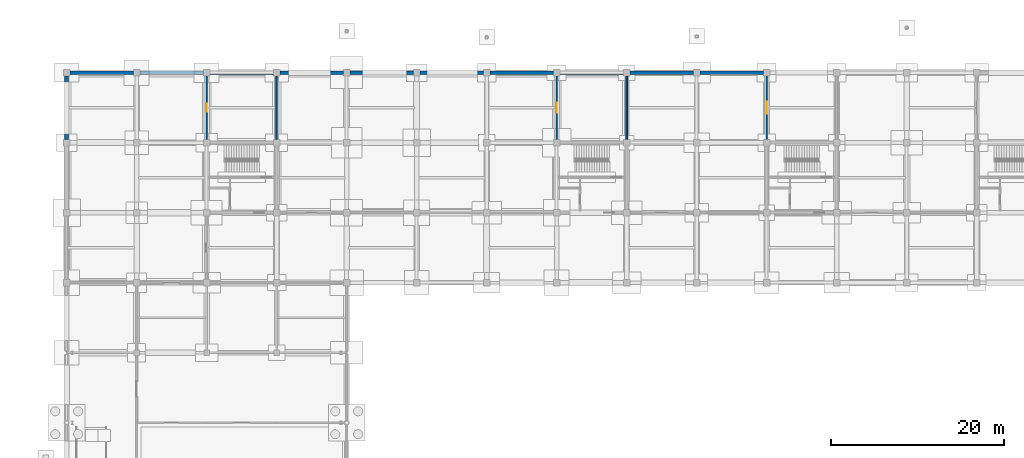
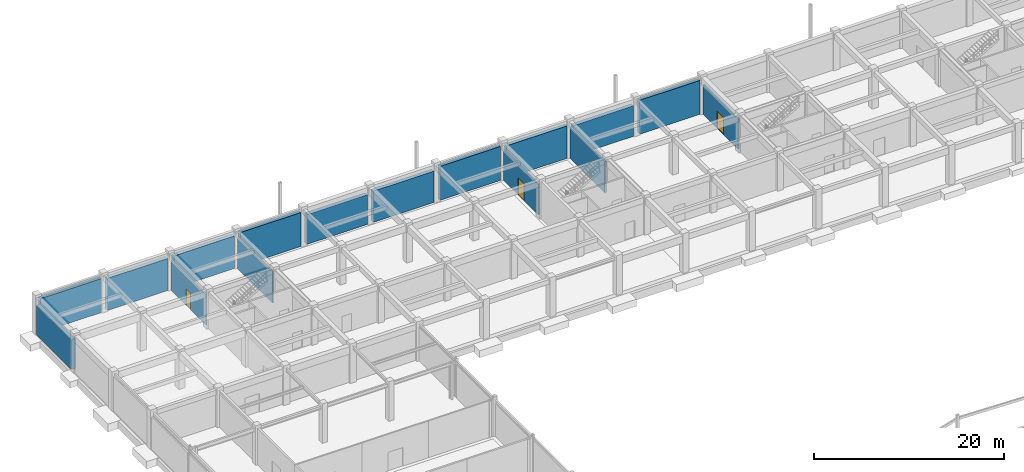
# One storey, part 54 of 67: 16 walls, 3 doors, 3 openings.
"""IFC4 building model written with IfcOpenShell, lengths in metres."""

from ifc_helpers import new_model, si_unit, direction, frame, frame_2d, origin, place, context, subcontext, project, spatial, rectangle, extrude, material, layer, layer_set, type_object, element, fill, save


model = new_model("IFC4")

# Units and contexts
model_context = context("Model", 3, precision=1e-05, world=origin(), true_north=direction((0.0, 1.0)))
body_context = subcontext(model_context, "Body", "Model", "MODEL_VIEW")
ifc_project = project(units=[si_unit("LENGTHUNIT", "METRE"), si_unit("AREAUNIT", "SQUARE_METRE"), si_unit("VOLUMEUNIT", "CUBIC_METRE"), si_unit("PLANEANGLEUNIT", "RADIAN"), si_unit("MASSUNIT", "GRAM", prefix="KILO")], contexts=[model_context])

# Site, building, storey
site_placement = place(None, origin())
site = spatial("IfcSite", under=ifc_project, at=site_placement, CompositionType="ELEMENT")
building_placement = place(site_placement, origin())
building = spatial("IfcBuilding", under=site, at=building_placement, Name="Vaudrelin Polytechnic", CompositionType="ELEMENT")
storey_placement = place(building_placement, frame((0.0, 0.0, -5.10009765625)))
storey = spatial("IfcBuildingStorey", under=building, at=storey_placement, Name="B1", CompositionType="ELEMENT", Elevation=-5.10009765625)

# Wall, opening, door
ifc_material_1 = material(Name="Concrete masonry unit 20 MPa shaft & corridor fire wall", Category="masonry")
ifc_layer_1 = layer(ifc_material_1, 0.199951171875)
ifc_layer_set_1 = layer_set([ifc_layer_1], Name="Concrete masonry unit 20 MPa shaft & corridor fire wall")
wall_type_1 = type_object("IfcWallType", Name="WAL-PW-FIRE120", PredefinedType="PARTITIONING", material=ifc_layer_set_1)
wall_1_placement = place(storey_placement, frame((81.0, 113.77294921875, 0.0), z_axis=(0.0, 0.0, 1.0), x_axis=(0.0, 1.0, 0.0)))
wall_1 = element("IfcWall", 1, at=wall_1_placement, inside=storey, type_object=wall_type_1, Name="Partition B1-013 E", PredefinedType="PARTITIONING", context=body_context, shape_type="SweptSolid", body=[
    extrude(rectangle(XDim=7.35400390625, YDim=0.199951171875, at=frame_2d((3.677001953125, 0.0))), origin(), (0.0, 0.0, 1.0), 3.83203125),
])
opening_1_placement = place(wall_1_placement, frame((2.97705078125, 0.0, 0.0)))
opening_1 = element("IfcOpeningElement", 2, at=opening_1_placement, cuts=wall_1, Name="Opening D-B1-418", PredefinedType="OPENING", context=body_context, shape_type="SweptSolid", body=[
    extrude(rectangle(XDim=1.39990234375, YDim=2.199951171875, at=frame_2d((0.699951171875, 1.10009765625))), frame((0.0, 0.10986328125, 0.0), z_axis=(0.0, -1.0, 0.0), x_axis=(1.0, 0.0, 0.0)), (0.0, 0.0, 1.0), 0.219970703125),
])
ifc_material_2 = material(Name="Pressed galvanised steel acoustic leaf", Category="steel")
door_type_1 = type_object("IfcDoorType", Name="DOR-ID-PLT1", OperationType="NOTDEFINED", PredefinedType="DOOR", material=ifc_material_2)
door_1_placement = place(opening_1_placement, origin())
door_1 = element("IfcDoor", 3, at=door_1_placement, inside=storey, type_object=door_type_1, Name="Chilled Water Pump Alcove door B1-035", OperationType="DOUBLE_SWING_LEFT", OverallHeight=2.199951171875, OverallWidth=1.39990234375, PredefinedType="DOOR", context=body_context, shape_type="SweptSolid", body=[
    extrude(rectangle(XDim=1.39990234375, YDim=2.199951171875, at=frame_2d((0.699951171875, 1.10009765625))), frame((0.0, 0.02490234375, 0.0), z_axis=(0.0, -1.0, 0.0), x_axis=(1.0, 0.0, 0.0)), (0.0, 0.0, 1.0), 0.050048828125),
])
fill(opening_1, door_1)

# Wall
wall_2_placement = place(storey_placement, frame((64.800048828125, 113.77294921875, 0.0), z_axis=(0.0, 0.0, 1.0), x_axis=(0.0, 1.0, 0.0)))
element("IfcWall", 4, at=wall_2_placement, inside=storey, type_object=wall_type_1, Name="Partition B1-013 W", PredefinedType="PARTITIONING", context=body_context, shape_type="SweptSolid", body=[
    extrude(rectangle(XDim=7.35400390625, YDim=0.199951171875, at=frame_2d((3.677001953125, 0.0))), origin(), (0.0, 0.0, 1.0), 4.031982421875),
])

# Wall, opening, door
ifc_material_3 = material(Name="Moisture- and chemical-resistant laboratory partition", Category="gypsum")
ifc_layer_2 = layer(ifc_material_3, 0.159912109375)
ifc_layer_set_2 = layer_set([ifc_layer_2], Name="Moisture- and chemical-resistant laboratory partition")
wall_type_2 = type_object("IfcWallType", Name="WAL-PW-LAB160", PredefinedType="PARTITIONING", material=ifc_layer_set_2)
wall_3_placement = place(storey_placement, frame((56.699951171875, 113.77294921875, 0.0), z_axis=(0.0, 0.0, 1.0), x_axis=(0.0, 1.0, 0.0)))
wall_3 = element("IfcWall", 5, at=wall_3_placement, inside=storey, type_object=wall_type_2, Name="Partition B1-011 E", PredefinedType="PARTITIONING", context=body_context, shape_type="SweptSolid", body=[
    extrude(rectangle(XDim=7.35400390625, YDim=0.159912109375, at=frame_2d((3.677001953125, 0.0))), origin(), (0.0, 0.0, 1.0), 3.93212890625),
])
opening_2_placement = place(wall_3_placement, frame((3.076904296875, 0.0, 0.0)))
opening_2 = element("IfcOpeningElement", 6, at=opening_2_placement, cuts=wall_3, Name="Opening D-B1-417", PredefinedType="OPENING", context=body_context, shape_type="SweptSolid", body=[
    extrude(rectangle(XDim=1.199951171875, YDim=2.199951171875, at=frame_2d((0.60009765625, 1.10009765625))), frame((0.0, 0.08984375, 0.0), z_axis=(0.0, -1.0, 0.0), x_axis=(1.0, 0.0, 0.0)), (0.0, 0.0, 1.0), 0.179931640625),
])
door_type_2 = type_object("IfcDoorType", Name="DOR-ID-LAB2", OperationType="NOTDEFINED", PredefinedType="DOOR", material=ifc_material_2)
door_2_placement = place(opening_2_placement, origin())
door_2 = element("IfcDoor", 7, at=door_2_placement, inside=storey, type_object=door_type_2, Name="Metrology Calibration Alcove door B1-034", OperationType="SINGLE_SWING_RIGHT", OverallHeight=2.199951171875, OverallWidth=1.199951171875, PredefinedType="DOOR", context=body_context, shape_type="SweptSolid", body=[
    extrude(rectangle(XDim=1.199951171875, YDim=2.199951171875, at=frame_2d((0.60009765625, 1.10009765625))), frame((0.0, 0.02490234375, 0.0), z_axis=(0.0, -1.0, 0.0), x_axis=(1.0, 0.0, 0.0)), (0.0, 0.0, 1.0), 0.050048828125),
])
fill(opening_2, door_2)

# Wall
wall_4_placement = place(storey_placement, frame((24.300048828125, 113.77294921875, 0.0), z_axis=(0.0, 0.0, 1.0), x_axis=(0.0, 1.0, 0.0)))
element("IfcWall", 8, at=wall_4_placement, inside=storey, type_object=wall_type_2, Name="Partition B1-011 W", PredefinedType="PARTITIONING", context=body_context, shape_type="SweptSolid", body=[
    extrude(rectangle(XDim=7.35400390625, YDim=0.159912109375, at=frame_2d((3.677001953125, 0.0))), origin(), (0.0, 0.0, 1.0), 4.031982421875),
])

# Wall, opening, door
ifc_material_4 = material(Name="Acoustic steel-stud office & study room partition", Category="steel")
ifc_layer_3 = layer(ifc_material_4, 0.135009765625)
ifc_layer_set_3 = layer_set([ifc_layer_3], Name="Acoustic steel-stud office & study room partition")
wall_type_3 = type_object("IfcWallType", Name="WAL-PW-OFF135", PredefinedType="PARTITIONING", material=ifc_layer_set_3)
wall_5_placement = place(storey_placement, frame((16.199951171875, 113.77294921875, 0.0), z_axis=(0.0, 0.0, 1.0), x_axis=(0.0, 1.0, 0.0)))
wall_5 = element("IfcWall", 9, at=wall_5_placement, inside=storey, type_object=wall_type_3, Name="Partition B1-010 E", PredefinedType="PARTITIONING", context=body_context, shape_type="SweptSolid", body=[
    extrude(rectangle(XDim=7.35400390625, YDim=0.135009765625, at=frame_2d((3.677001953125, 0.0))), origin(), (0.0, 0.0, 1.0), 3.93212890625),
])
opening_3_placement = place(wall_5_placement, frame((3.201904296875, 0.0, 0.0)))
opening_3 = element("IfcOpeningElement", 10, at=opening_3_placement, cuts=wall_5, Name="Opening D-B1-416", PredefinedType="OPENING", context=body_context, shape_type="SweptSolid", body=[
    extrude(rectangle(XDim=0.949951171875, YDim=2.14990234375, at=frame_2d((0.47509765625, 1.074951171875))), frame((0.0, 0.07763671875, 0.0), z_axis=(0.0, -1.0, 0.0), x_axis=(1.0, 0.0, 0.0)), (0.0, 0.0, 1.0), 0.155029296875),
])
ifc_material_5 = material(Name="Solid-core birch veneer acoustic leaf", Category="wood")
door_type_3 = type_object("IfcDoorType", Name="DOR-ID-OFF1", OperationType="NOTDEFINED", PredefinedType="DOOR", material=ifc_material_5)
door_3_placement = place(opening_3_placement, origin())
door_3 = element("IfcDoor", 11, at=door_3_placement, inside=storey, type_object=door_type_3, Name="Archive Microfilm Vault door B1-033", OperationType="SINGLE_SWING_LEFT", OverallHeight=2.14990234375, OverallWidth=0.949951171875, PredefinedType="DOOR", context=body_context, shape_type="SweptSolid", body=[
    extrude(rectangle(XDim=0.949951171875, YDim=2.14990234375, at=frame_2d((0.47509765625, 1.074951171875))), frame((0.0, 0.02490234375, 0.0), z_axis=(0.0, -1.0, 0.0), x_axis=(1.0, 0.0, 0.0)), (0.0, 0.0, 1.0), 0.050048828125),
])
fill(opening_3, door_3)

# Walls
ifc_material_6 = material(Name="Concrete 35 MPa", Category="concrete")
ifc_layer_4 = layer(ifc_material_6, 0.449951171875)
ifc_layer_set_4 = layer_set([ifc_layer_4], Name="Concrete 35 MPa")
wall_type_4 = type_object("IfcWallType", Name="WAL-SW-RET450", PredefinedType="SOLIDWALL", material=ifc_layer_set_4)
wall_6_placement = place(storey_placement, frame((0.0, 113.760009765625, 0.0), z_axis=(0.0, 0.0, 1.0), x_axis=(0.0, 1.0, 0.0)))
element("IfcWall", 12, at=wall_6_placement, inside=storey, type_object=wall_type_4, Name="Basement retaining wall RET-W-V5-3", PredefinedType="SOLIDWALL", context=body_context, shape_type="SweptSolid", body=[
    extrude(rectangle(XDim=7.3798828125, YDim=0.449951171875, at=frame_2d((3.68994140625, 0.0))), origin(), (0.0, 0.0, 1.0), 3.830078125),
])
wall_7_placement = place(storey_placement, frame((0.360107421875, 121.5, 0.0), z_axis=(0.0, 0.0, 1.0), x_axis=(1.0, 0.0, 0.0)))
element("IfcWall", 13, at=wall_7_placement, inside=storey, type_object=wall_type_4, Name="Basement retaining wall RET-N-V5-1", PredefinedType="SOLIDWALL", context=body_context, shape_type="SweptSolid", body=[
    extrude(rectangle(XDim=7.3798828125, YDim=0.449951171875, at=frame_2d((3.68994140625, 0.0))), origin(), (0.0, 0.0, 1.0), 4.364990234375),
])
wall_8_placement = place(storey_placement, frame((8.4599609375, 121.5, 0.0), z_axis=(0.0, 0.0, 1.0), x_axis=(1.0, 0.0, 0.0)))
element("IfcWall", 14, at=wall_8_placement, inside=storey, type_object=wall_type_4, Name="Basement retaining wall RET-N-V5-2", PredefinedType="SOLIDWALL", context=body_context, shape_type="SweptSolid", body=[
    extrude(rectangle(XDim=7.380126953125, YDim=0.449951171875, at=frame_2d((3.68994140625, 0.0))), origin(), (0.0, 0.0, 1.0), 4.130126953125),
])
wall_9_placement = place(storey_placement, frame((16.56005859375, 121.5, 0.0), z_axis=(0.0, 0.0, 1.0), x_axis=(1.0, 0.0, 0.0)))
element("IfcWall", 15, at=wall_9_placement, inside=storey, type_object=wall_type_4, Name="Basement retaining wall RET-N-V5-3", PredefinedType="SOLIDWALL", context=body_context, shape_type="SweptSolid", body=[
    extrude(rectangle(XDim=7.3798828125, YDim=0.449951171875, at=frame_2d((3.68994140625, 0.0))), origin(), (0.0, 0.0, 1.0), 4.18017578125),
])
wall_10_placement = place(storey_placement, frame((24.659912109375, 121.5, 0.0), z_axis=(0.0, 0.0, 1.0), x_axis=(1.0, 0.0, 0.0)))
element("IfcWall", 16, at=wall_10_placement, inside=storey, type_object=wall_type_4, Name="Basement retaining wall RET-N-V5-4", PredefinedType="SOLIDWALL", context=body_context, shape_type="SweptSolid", body=[
    extrude(rectangle(XDim=7.380126953125, YDim=0.449951171875, at=frame_2d((3.68994140625, 0.0))), origin(), (0.0, 0.0, 1.0), 4.364990234375),
])
wall_11_placement = place(storey_placement, frame((32.760009765625, 121.5, 0.0), z_axis=(0.0, 0.0, 1.0), x_axis=(1.0, 0.0, 0.0)))
element("IfcWall", 17, at=wall_11_placement, inside=storey, type_object=wall_type_4, Name="Basement retaining wall RET-N-V5-5", PredefinedType="SOLIDWALL", context=body_context, shape_type="SweptSolid", body=[
    extrude(rectangle(XDim=7.3798828125, YDim=0.449951171875, at=frame_2d((3.68994140625, 0.0))), origin(), (0.0, 0.0, 1.0), 3.830078125),
])
wall_12_placement = place(storey_placement, frame((40.860107421875, 121.5, 0.0), z_axis=(0.0, 0.0, 1.0), x_axis=(1.0, 0.0, 0.0)))
element("IfcWall", 18, at=wall_12_placement, inside=storey, type_object=wall_type_4, Name="Basement retaining wall RET-N-V5-6", PredefinedType="SOLIDWALL", context=body_context, shape_type="SweptSolid", body=[
    extrude(rectangle(XDim=7.3798828125, YDim=0.449951171875, at=frame_2d((3.68994140625, 0.0))), origin(), (0.0, 0.0, 1.0), 4.030029296875),
])
wall_13_placement = place(storey_placement, frame((48.9599609375, 121.5, 0.0), z_axis=(0.0, 0.0, 1.0), x_axis=(1.0, 0.0, 0.0)))
element("IfcWall", 19, at=wall_13_placement, inside=storey, type_object=wall_type_4, Name="Basement retaining wall RET-N-V5-7", PredefinedType="SOLIDWALL", context=body_context, shape_type="SweptSolid", body=[
    extrude(rectangle(XDim=7.380126953125, YDim=0.449951171875, at=frame_2d((3.68994140625, 0.0))), origin(), (0.0, 0.0, 1.0), 4.364990234375),
])
wall_14_placement = place(storey_placement, frame((57.06005859375, 121.5, 0.0), z_axis=(0.0, 0.0, 1.0), x_axis=(1.0, 0.0, 0.0)))
element("IfcWall", 20, at=wall_14_placement, inside=storey, type_object=wall_type_4, Name="Basement retaining wall RET-N-V5-8", PredefinedType="SOLIDWALL", context=body_context, shape_type="SweptSolid", body=[
    extrude(rectangle(XDim=7.3798828125, YDim=0.449951171875, at=frame_2d((3.68994140625, 0.0))), origin(), (0.0, 0.0, 1.0), 4.18017578125),
])
wall_15_placement = place(storey_placement, frame((65.159912109375, 121.5, 0.0), z_axis=(0.0, 0.0, 1.0), x_axis=(1.0, 0.0, 0.0)))
element("IfcWall", 21, at=wall_15_placement, inside=storey, type_object=wall_type_4, Name="Basement retaining wall RET-N-V5-9", PredefinedType="SOLIDWALL", context=body_context, shape_type="SweptSolid", body=[
    extrude(rectangle(XDim=7.380126953125, YDim=0.449951171875, at=frame_2d((3.68994140625, 0.0))), origin(), (0.0, 0.0, 1.0), 3.93017578125),
])
wall_16_placement = place(storey_placement, frame((73.260009765625, 121.5, 0.0), z_axis=(0.0, 0.0, 1.0), x_axis=(1.0, 0.0, 0.0)))
element("IfcWall", 22, at=wall_16_placement, inside=storey, type_object=wall_type_4, Name="Basement retaining wall RET-N-V5-10", PredefinedType="SOLIDWALL", context=body_context, shape_type="SweptSolid", body=[
    extrude(rectangle(XDim=7.3798828125, YDim=0.449951171875, at=frame_2d((3.68994140625, 0.0))), origin(), (0.0, 0.0, 1.0), 4.364990234375),
])

save(model, "model.ifc")
